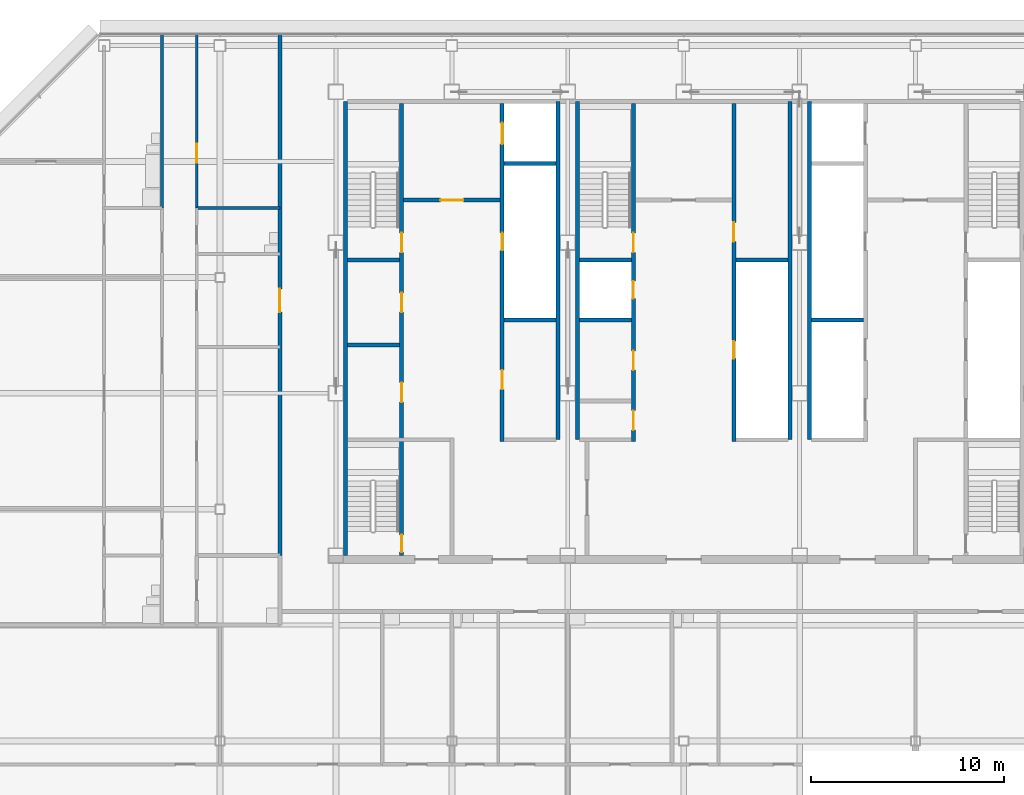
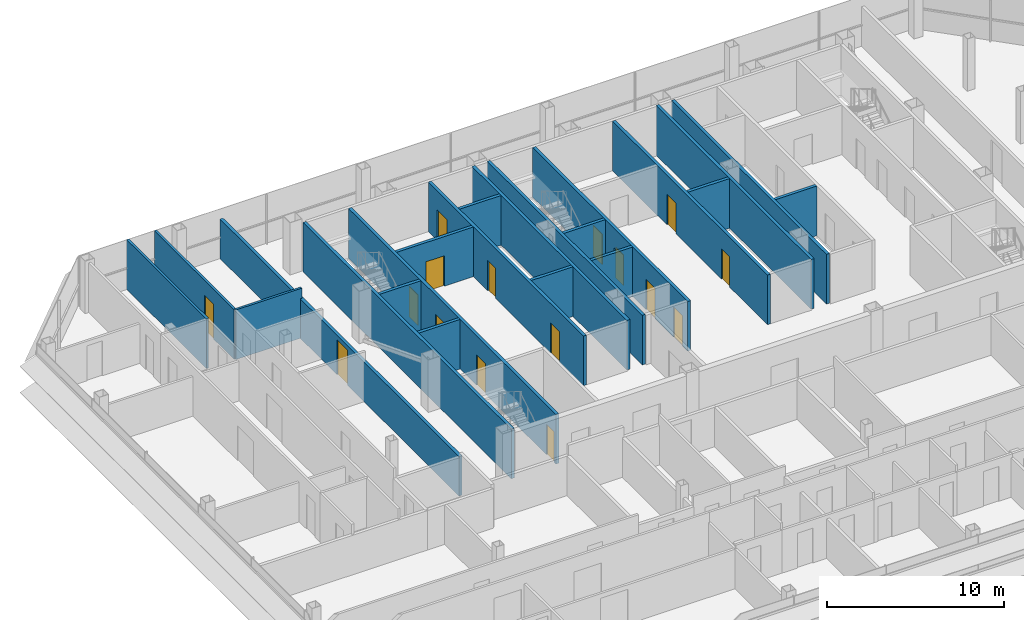
# One storey, part 24 of 28: 22 walls, 16 doors, 16 openings.
"""IFC4 building model written with IfcOpenShell, lengths in metres."""

from ifc_helpers import new_model, si_unit, direction, frame, frame_2d, origin, place, context, subcontext, project, spatial, rectangle, extrude, material, layer, layer_set, type_object, element, fill, save


model = new_model("IFC4")

# Units and contexts
model_context = context("Model", 3, precision=1e-05, world=origin(), true_north=direction((0.0, 1.0)))
body_context = subcontext(model_context, "Body", "Model", "MODEL_VIEW")
ifc_project = project(units=[si_unit("LENGTHUNIT", "METRE"), si_unit("AREAUNIT", "SQUARE_METRE"), si_unit("VOLUMEUNIT", "CUBIC_METRE"), si_unit("PLANEANGLEUNIT", "RADIAN"), si_unit("MASSUNIT", "GRAM", prefix="KILO")], contexts=[model_context])

# Site, building, storey
site_placement = place(None, origin())
site = spatial("IfcSite", under=ifc_project, at=site_placement, CompositionType="ELEMENT")
building_placement = place(site_placement, origin())
building = spatial("IfcBuilding", under=site, at=building_placement, Name="Sorahane Residences", CompositionType="ELEMENT")
storey_placement = place(building_placement, frame((0.0, 0.0, 250.39990234375)))
storey = spatial("IfcBuildingStorey", under=building, at=storey_placement, Name="L59", CompositionType="ELEMENT", Elevation=250.39990234375)

# Walls
ifc_material_1 = material(Name="Concrete C30", Category="concrete")
ifc_layer_1 = layer(ifc_material_1, 0.199951171875)
ifc_layer_set_1 = layer_set([ifc_layer_1], Name="Core face wall 200 EI 180")
wall_type_1 = type_object("IfcWallType", Name="Core face wall 200 EI 180", PredefinedType="SOLIDWALL", material=ifc_layer_set_1)
wall_1_placement = place(storey_placement, frame((6.5, 21.60009765625, 0.0), z_axis=(0.0, 0.0, 1.0), x_axis=(0.0, 1.0, 0.0)))
element("IfcWall", 1, at=wall_1_placement, inside=storey, type_object=wall_type_1, Name="L59 core face wall", PredefinedType="SOLIDWALL", context=body_context, shape_type="SweptSolid", body=[
    extrude(rectangle(XDim=23.5, YDim=0.199951171875, at=frame_2d((11.75, 0.0))), origin(), (0.0, 0.0, 1.0), 3.420166015625),
])
for number, where, z_axis, x_axis, name in (
    (2, (17.5, 27.60009765625, 0.0), (0.0, 0.0, 1.0), (0.0, 1.0, 0.0), "L59 core face wall"),
    (3, (18.5, 27.60009765625, 0.0), (0.0, 0.0, 1.0), (0.0, 1.0, 0.0), "L59 core face wall"),
    (4, (29.5, 27.60009765625, 0.0), (0.0, 0.0, 1.0), (0.0, 1.0, 0.0), "L59 core face wall"),
    (5, (30.5, 27.60009765625, 0.0), (0.0, 0.0, 1.0), (0.0, 1.0, 0.0), "L59 core face wall"),
):
    element("IfcWall", number, at=place(storey_placement, frame(where, z_axis=z_axis, x_axis=x_axis)), inside=storey, type_object=wall_type_1, Name=name, PredefinedType="SOLIDWALL", context=body_context, shape_type="SweptSolid", body=[
        extrude(rectangle(XDim=17.5, YDim=0.199951171875, at=frame_2d((8.75, 0.0))), origin(), (0.0, 0.0, 1.0), 3.420166015625),
    ])

# Wall, opening, door
ifc_material_2 = material(Name="Concrete blockwork C20 wall", Category="masonry")
ifc_layer_2 = layer(ifc_material_2, 0.199951171875)
ifc_layer_set_2 = layer_set([ifc_layer_2], Name="Corridor wall 200 EI 120")
wall_type_2 = type_object("IfcWallType", Name="Corridor wall 200 EI 120", PredefinedType="SOLIDWALL", material=ifc_layer_set_2)
wall_2_placement = place(storey_placement, frame((3.10009765625, 21.60009765625, 0.0), z_axis=(0.0, 0.0, 1.0), x_axis=(0.0, 1.0, 0.0)))
wall_2 = element("IfcWall", 6, at=wall_2_placement, inside=storey, type_object=wall_type_2, Name="L59 corridor wall", PredefinedType="SOLIDWALL", context=body_context, shape_type="SweptSolid", body=[
    extrude(rectangle(XDim=27.0, YDim=0.199951171875, at=frame_2d((13.5, 0.0))), origin(), (0.0, 0.0, 1.0), 2.72021484375),
])
opening_1_placement = place(wall_2_placement, frame((12.60009765625, 0.0, 0.0)))
opening_1 = element("IfcOpeningElement", 7, at=opening_1_placement, cuts=wall_2, Name="Opening L59-48", PredefinedType="OPENING", context=body_context, shape_type="SweptSolid", body=[
    extrude(rectangle(XDim=1.199951171875, YDim=2.39990234375, at=frame_2d((0.60009765625, 1.199951171875))), frame((0.0, 0.10986328125, 0.0), z_axis=(0.0, -1.0, 0.0), x_axis=(1.0, 0.0, 0.0)), (0.0, 0.0, 1.0), 0.219970703125),
])
ifc_material_3 = material(Name="Timber veneered fire door", Category="wood")
door_type_1 = type_object("IfcDoorType", Name="Flat entrance door 1200x2400 FD60", OperationType="NOTDEFINED", PredefinedType="DOOR", material=ifc_material_3)
door_1_placement = place(opening_1_placement, origin())
door_1 = element("IfcDoor", 8, at=door_1_placement, inside=storey, type_object=door_type_1, Name="Flat entrance door L59-48", OperationType="SINGLE_SWING_RIGHT", OverallHeight=2.39990234375, OverallWidth=1.199951171875, PredefinedType="DOOR", context=body_context, shape_type="SweptSolid", body=[
    extrude(rectangle(XDim=1.199951171875, YDim=2.39990234375, at=frame_2d((0.60009765625, 1.199951171875))), frame((0.0, 0.02490234375, 0.0), z_axis=(0.0, -1.0, 0.0), x_axis=(1.0, 0.0, 0.0)), (0.0, 0.0, 1.0), 0.050048828125),
])
fill(opening_1, door_1)

ifc_material_4 = material(Name="Concrete C30", Category="concrete")
ifc_layer_3 = layer(ifc_material_4, 0.199951171875)
ifc_layer_set_3 = layer_set([ifc_layer_3], Name="Front room wall 200 EI 120")
wall_type_3 = type_object("IfcWallType", Name="Front room wall 200 EI 120", PredefinedType="PARTITIONING", material=ifc_layer_set_3)
wall_3_placement = place(storey_placement, frame((9.5, 40.0, 0.0), z_axis=(0.0, 0.0, 1.0), x_axis=(1.0, 0.0, 0.0)))
wall_3 = element("IfcWall", 9, at=wall_3_placement, inside=storey, type_object=wall_type_3, Name="L59 front room wall", PredefinedType="PARTITIONING", context=body_context, shape_type="SweptSolid", body=[
    extrude(rectangle(XDim=5.0, YDim=0.199951171875, at=frame_2d((2.5, 0.0))), origin(), (0.0, 0.0, 1.0), 3.420166015625),
])
opening_2_placement = place(wall_3_placement, frame((1.89990234375, 0.0, 0.0)))
opening_2 = element("IfcOpeningElement", 10, at=opening_2_placement, cuts=wall_3, Name="Opening L59-C07", PredefinedType="OPENING", context=body_context, shape_type="SweptSolid", body=[
    extrude(rectangle(XDim=1.199951171875, YDim=2.10009765625, at=frame_2d((0.60009765625, 1.050048828125))), frame((0.0, 0.10986328125, 0.0), z_axis=(0.0, -1.0, 0.0), x_axis=(1.0, 0.0, 0.0)), (0.0, 0.0, 1.0), 0.219970703125),
])
ifc_material_5 = material(Name="Steel", Category="steel")
door_type_2 = type_object("IfcDoorType", Name="Front room door 1200x2100 FD120", OperationType="NOTDEFINED", PredefinedType="DOOR", material=ifc_material_5)
door_2_placement = place(opening_2_placement, frame((1.199951171875, 0.0, 0.0), z_axis=(0.0, 0.0, 1.0), x_axis=(-1.0, 0.0, 0.0)))
door_2 = element("IfcDoor", 11, at=door_2_placement, inside=storey, type_object=door_type_2, Name="Front room door Firefighting lobby FF1 front room L59", OperationType="DOUBLE_DOOR_SINGLE_SWING", OverallHeight=2.10009765625, OverallWidth=1.199951171875, PredefinedType="DOOR", context=body_context, shape_type="SweptSolid", body=[
    extrude(rectangle(XDim=1.199951171875, YDim=2.10009765625, at=frame_2d((0.60009765625, 1.050048828125))), frame((0.0, 0.02490234375, 0.0), z_axis=(0.0, -1.0, 0.0), x_axis=(1.0, 0.0, 0.0)), (0.0, 0.0, 1.0), 0.050048828125),
])
fill(opening_2, door_2)

# Wall, openings, doors
ifc_material_6 = material(Name="Concrete C30", Category="concrete")
ifc_layer_4 = layer(ifc_material_6, 0.199951171875)
ifc_layer_set_4 = layer_set([ifc_layer_4], Name="Lift shaft wall 200 EI 120")
wall_type_4 = type_object("IfcWallType", Name="Lift shaft wall 200 EI 120", PredefinedType="SOLIDWALL", material=ifc_layer_set_4)
wall_4_placement = place(storey_placement, frame((14.60009765625, 27.5, 0.0), z_axis=(0.0, 0.0, 1.0), x_axis=(0.0, 1.0, 0.0)))
wall_4 = element("IfcWall", 12, at=wall_4_placement, inside=storey, type_object=wall_type_4, Name="L59 lift shaft wall", PredefinedType="SOLIDWALL", context=body_context, shape_type="SweptSolid", body=[
    extrude(rectangle(XDim=17.5, YDim=0.199951171875, at=frame_2d((8.75, 0.0))), origin(), (0.0, 0.0, 1.0), 3.420166015625),
])
opening_3_placement = place(wall_4_placement, frame((15.39990234375, 0.0, 0.0)))
opening_3 = element("IfcOpeningElement", 13, at=opening_3_placement, cuts=wall_4, Name="Opening L59-C16", PredefinedType="OPENING", context=body_context, shape_type="SweptSolid", body=[
    extrude(rectangle(XDim=1.10009765625, YDim=2.10009765625, at=frame_2d((0.550048828125, 1.050048828125))), frame((0.0, 0.10986328125, 0.0), z_axis=(0.0, -1.0, 0.0), x_axis=(1.0, 0.0, 0.0)), (0.0, 0.0, 1.0), 0.219970703125),
])
opening_4_placement = place(wall_4_placement, frame((2.699951171875, 0.0, 0.0)))
opening_4 = element("IfcOpeningElement", 14, at=opening_4_placement, cuts=wall_4, Name="Opening L59-C19", PredefinedType="OPENING", context=body_context, shape_type="SweptSolid", body=[
    extrude(rectangle(XDim=1.0, YDim=2.10009765625, at=frame_2d((0.5, 1.050048828125))), frame((0.0, 0.10986328125, 0.0), z_axis=(0.0, -1.0, 0.0), x_axis=(1.0, 0.0, 0.0)), (0.0, 0.0, 1.0), 0.219970703125),
])
opening_5_placement = place(wall_4_placement, frame((9.89990234375, 0.0, 0.0)))
opening_5 = element("IfcOpeningElement", 15, at=opening_5_placement, cuts=wall_4, Name="Opening L59-C27", PredefinedType="OPENING", context=body_context, shape_type="SweptSolid", body=[
    extrude(rectangle(XDim=0.89990234375, YDim=2.10009765625, at=frame_2d((0.449951171875, 1.050048828125))), frame((0.0, 0.10986328125, 0.0), z_axis=(0.0, -1.0, 0.0), x_axis=(1.0, 0.0, 0.0)), (0.0, 0.0, 1.0), 0.219970703125),
])
ifc_material_7 = material(Name="Aluminium and stainless steel", Category="steel")
door_type_3 = type_object("IfcDoorType", Name="Lift landing door 1100x2100 E 60", OperationType="NOTDEFINED", PredefinedType="DOOR", material=ifc_material_7)
door_3_placement = place(opening_3_placement, origin())
door_3 = element("IfcDoor", 16, at=door_3_placement, inside=storey, type_object=door_type_3, Name="Lift landing door FF1 L59", OperationType="DOUBLE_DOOR_SLIDING", OverallHeight=2.10009765625, OverallWidth=1.10009765625, PredefinedType="DOOR", context=body_context, shape_type="SweptSolid", body=[
    extrude(rectangle(XDim=1.10009765625, YDim=2.10009765625, at=frame_2d((0.550048828125, 1.050048828125))), frame((0.0, 0.02490234375, 0.0), z_axis=(0.0, -1.0, 0.0), x_axis=(1.0, 0.0, 0.0)), (0.0, 0.0, 1.0), 0.050048828125),
])
fill(opening_3, door_3)
ifc_material_8 = material(Name="Steel", Category="steel")
door_type_4 = type_object("IfcDoorType", Name="Riser door 900x2100 FD120", OperationType="NOTDEFINED", PredefinedType="DOOR", material=ifc_material_8)
door_4_placement = place(opening_5_placement, origin())
door_4 = element("IfcDoor", 17, at=door_4_placement, inside=storey, type_object=door_type_4, Name="Riser door R1 L59", OperationType="SINGLE_SWING_LEFT", OverallHeight=2.10009765625, OverallWidth=0.89990234375, PredefinedType="DOOR", context=body_context, shape_type="SweptSolid", body=[
    extrude(rectangle(XDim=0.89990234375, YDim=2.10009765625, at=frame_2d((0.449951171875, 1.050048828125))), frame((0.0, 0.02490234375, 0.0), z_axis=(0.0, -1.0, 0.0), x_axis=(1.0, 0.0, 0.0)), (0.0, 0.0, 1.0), 0.050048828125),
])
fill(opening_5, door_4)
ifc_material_9 = material(Name="Steel", Category="steel")
door_type_5 = type_object("IfcDoorType", Name="Service room door 1000x2100 FD60", OperationType="NOTDEFINED", PredefinedType="DOOR", material=ifc_material_9)
door_5_placement = place(opening_4_placement, frame((1.0, 0.0, 0.0), z_axis=(0.0, 0.0, 1.0), x_axis=(-1.0, 0.0, 0.0)))
door_5 = element("IfcDoor", 18, at=door_5_placement, inside=storey, type_object=door_type_5, Name="Service room door Study L59", OperationType="SINGLE_SWING_RIGHT", OverallHeight=2.10009765625, OverallWidth=1.0, PredefinedType="DOOR", context=body_context, shape_type="SweptSolid", body=[
    extrude(rectangle(XDim=1.0, YDim=2.10009765625, at=frame_2d((0.5, 1.050048828125))), frame((0.0, 0.02490234375, 0.0), z_axis=(0.0, -1.0, 0.0), x_axis=(1.0, 0.0, 0.0)), (0.0, 0.0, 1.0), 0.050048828125),
])
fill(opening_4, door_5)

# Walls
for number, where, z_axis, x_axis, name in (
    (19, (30.60009765625, 33.800048828125, 0.0), (0.0, 0.0, 1.0), (1.0, 0.0, 0.0), "L59 lift shaft wall"),
    (20, (14.699951171875, 41.89990234375, 0.0), (0.0, 0.0, 1.0), (1.0, 0.0, 0.0), "L59 lift shaft wall"),
):
    element("IfcWall", number, at=place(storey_placement, frame(where, z_axis=z_axis, x_axis=x_axis)), inside=storey, type_object=wall_type_4, Name=name, PredefinedType="SOLIDWALL", context=body_context, shape_type="SweptSolid", body=[
        extrude(rectangle(XDim=2.699951171875, YDim=0.199951171875, at=frame_2d((1.35009765625, 0.0))), origin(), (0.0, 0.0, 1.0), 3.420166015625),
    ])

# Wall, opening, door
ifc_material_10 = material(Name="Gypsum board partition on steel studs", Category="steel")
ifc_layer_5 = layer(ifc_material_10, 0.14990234375)
ifc_layer_set_5 = layer_set([ifc_layer_5], Name="Partition 150 EI 90")
wall_type_5 = type_object("IfcWallType", Name="Partition 150 EI 90", PredefinedType="PARTITIONING", material=ifc_layer_set_5)
wall_5_placement = place(storey_placement, frame((-1.199951171875, 39.60009765625, 0.0), z_axis=(0.0, 0.0, 1.0), x_axis=(0.0, 1.0, 0.0)))
wall_5 = element("IfcWall", 21, at=wall_5_placement, inside=storey, type_object=wall_type_5, Name="L59 partition", PredefinedType="PARTITIONING", context=body_context, shape_type="SweptSolid", body=[
    extrude(rectangle(XDim=9.0, YDim=0.14990234375, at=frame_2d((4.5, 0.0))), origin(), (0.0, 0.0, 1.0), 3.420166015625),
])
opening_6_placement = place(wall_5_placement, frame((2.320068359375, 0.0, 0.0)))
opening_6 = element("IfcOpeningElement", 22, at=opening_6_placement, cuts=wall_5, Name="Opening L59-36", PredefinedType="OPENING", context=body_context, shape_type="SweptSolid", body=[
    extrude(rectangle(XDim=1.0, YDim=2.39990234375, at=frame_2d((0.5, 1.199951171875))), frame((0.0, 0.0849609375, 0.0), z_axis=(0.0, -1.0, 0.0), x_axis=(1.0, 0.0, 0.0)), (0.0, 0.0, 1.0), 0.169921875),
])
ifc_material_11 = material(Name="Timber veneered fire door", Category="wood")
door_type_6 = type_object("IfcDoorType", Name="Room door 1000x2400 FD30", OperationType="NOTDEFINED", PredefinedType="DOOR", material=ifc_material_11)
door_6_placement = place(opening_6_placement, frame((1.0, 0.0, 0.0), z_axis=(0.0, 0.0, 1.0), x_axis=(-1.0, 0.0, 0.0)))
door_6 = element("IfcDoor", 23, at=door_6_placement, inside=storey, type_object=door_type_6, Name="Room door L59-36", OperationType="SINGLE_SWING_RIGHT", OverallHeight=2.39990234375, OverallWidth=1.0, PredefinedType="DOOR", context=body_context, shape_type="SweptSolid", body=[
    extrude(rectangle(XDim=1.0, YDim=2.39990234375, at=frame_2d((0.5, 1.199951171875))), frame((0.0, 0.02490234375, 0.0), z_axis=(0.0, -1.0, 0.0), x_axis=(1.0, 0.0, 0.0)), (0.0, 0.0, 1.0), 0.050048828125),
])
fill(opening_6, door_6)

# Wall, openings, doors
ifc_material_12 = material(Name="Concrete C30", Category="concrete")
ifc_layer_6 = layer(ifc_material_12, 0.199951171875)
ifc_layer_set_6 = layer_set([ifc_layer_6], Name="Riser shaft wall 200 EI 120")
wall_type_6 = type_object("IfcWallType", Name="Riser shaft wall 200 EI 120", PredefinedType="SOLIDWALL", material=ifc_layer_set_6)
wall_6_placement = place(storey_placement, frame((26.60009765625, 27.5, 0.0), z_axis=(0.0, 0.0, 1.0), x_axis=(0.0, 1.0, 0.0)))
wall_6 = element("IfcWall", 24, at=wall_6_placement, inside=storey, type_object=wall_type_6, Name="L59 riser wall", PredefinedType="SOLIDWALL", context=body_context, shape_type="SweptSolid", body=[
    extrude(rectangle(XDim=17.5, YDim=0.199951171875, at=frame_2d((8.75, 0.0))), origin(), (0.0, 0.0, 1.0), 3.420166015625),
])
opening_7_placement = place(wall_6_placement, frame((4.300048828125, 0.0, 0.0)))
opening_7 = element("IfcOpeningElement", 25, at=opening_7_placement, cuts=wall_6, Name="Opening L59-C30", PredefinedType="OPENING", context=body_context, shape_type="SweptSolid", body=[
    extrude(rectangle(XDim=0.89990234375, YDim=2.10009765625, at=frame_2d((0.449951171875, 1.050048828125))), frame((0.0, 0.10986328125, 0.0), z_axis=(0.0, -1.0, 0.0), x_axis=(1.0, 0.0, 0.0)), (0.0, 0.0, 1.0), 0.219970703125),
])
opening_8_placement = place(wall_6_placement, frame((10.35009765625, 0.0, 0.0)))
opening_8 = element("IfcOpeningElement", 26, at=opening_8_placement, cuts=wall_6, Name="Opening L59-C31", PredefinedType="OPENING", context=body_context, shape_type="SweptSolid", body=[
    extrude(rectangle(XDim=1.0, YDim=2.10009765625, at=frame_2d((0.5, 1.050048828125))), frame((0.0, 0.10986328125, 0.0), z_axis=(0.0, -1.0, 0.0), x_axis=(1.0, 0.0, 0.0)), (0.0, 0.0, 1.0), 0.219970703125),
])
door_7_placement = place(opening_7_placement, origin())
door_7 = element("IfcDoor", 27, at=door_7_placement, inside=storey, type_object=door_type_4, Name="Riser door R4 L59", OperationType="SINGLE_SWING_LEFT", OverallHeight=2.10009765625, OverallWidth=0.89990234375, PredefinedType="DOOR", context=body_context, shape_type="SweptSolid", body=[
    extrude(rectangle(XDim=0.89990234375, YDim=2.10009765625, at=frame_2d((0.449951171875, 1.050048828125))), frame((0.0, 0.02490234375, 0.0), z_axis=(0.0, -1.0, 0.0), x_axis=(1.0, 0.0, 0.0)), (0.0, 0.0, 1.0), 0.050048828125),
])
fill(opening_7, door_7)
door_8_placement = place(opening_8_placement, frame((1.0, 0.0, 0.0), z_axis=(0.0, 0.0, 1.0), x_axis=(-1.0, 0.0, 0.0)))
door_8 = element("IfcDoor", 28, at=door_8_placement, inside=storey, type_object=door_type_5, Name="Service room door Housekeeping store L59", OperationType="SINGLE_SWING_LEFT", OverallHeight=2.10009765625, OverallWidth=1.0, PredefinedType="DOOR", context=body_context, shape_type="SweptSolid", body=[
    extrude(rectangle(XDim=1.0, YDim=2.10009765625, at=frame_2d((0.5, 1.050048828125))), frame((0.0, 0.02490234375, 0.0), z_axis=(0.0, -1.0, 0.0), x_axis=(1.0, 0.0, 0.0)), (0.0, 0.0, 1.0), 0.050048828125),
])
fill(opening_8, door_8)

# Walls
for number, where, z_axis, x_axis, name in (
    (29, (14.699951171875, 33.800048828125, 0.0), (0.0, 0.0, 1.0), (1.0, 0.0, 0.0), "L59 riser wall"),
    (30, (18.60009765625, 33.800048828125, 0.0), (0.0, 0.0, 1.0), (1.0, 0.0, 0.0), "L59 riser wall"),
    (31, (26.699951171875, 36.89990234375, 0.0), (0.0, 0.0, 1.0), (1.0, 0.0, 0.0), "L59 riser wall"),
):
    element("IfcWall", number, at=place(storey_placement, frame(where, z_axis=z_axis, x_axis=x_axis)), inside=storey, type_object=wall_type_6, Name=name, PredefinedType="SOLIDWALL", context=body_context, shape_type="SweptSolid", body=[
        extrude(rectangle(XDim=2.699951171875, YDim=0.199951171875, at=frame_2d((1.35009765625, 0.0))), origin(), (0.0, 0.0, 1.0), 3.420166015625),
    ])
ifc_material_13 = material(Name="Concrete C30", Category="concrete")
ifc_layer_7 = layer(ifc_material_13, 0.199951171875)
ifc_layer_set_7 = layer_set([ifc_layer_7], Name="Service room partition 200 EI 60")
wall_type_7 = type_object("IfcWallType", Name="Service room partition 200 EI 60", PredefinedType="PARTITIONING", material=ifc_layer_set_7)
wall_7_placement = place(storey_placement, frame((6.60009765625, 32.5, 0.0), z_axis=(0.0, 0.0, 1.0), x_axis=(1.0, 0.0, 0.0)))
element("IfcWall", 32, at=wall_7_placement, inside=storey, type_object=wall_type_7, Name="L59 service room wall", PredefinedType="PARTITIONING", context=body_context, shape_type="SweptSolid", body=[
    extrude(rectangle(XDim=2.699951171875, YDim=0.199951171875, at=frame_2d((1.35009765625, 0.0))), origin(), (0.0, 0.0, 1.0), 3.420166015625),
])

# Wall, openings, doors
ifc_material_14 = material(Name="Concrete C30", Category="concrete")
ifc_layer_8 = layer(ifc_material_14, 0.199951171875)
ifc_layer_set_8 = layer_set([ifc_layer_8], Name="Stair enclosure wall 200 EI 120")
wall_type_8 = type_object("IfcWallType", Name="Stair enclosure wall 200 EI 120", PredefinedType="SOLIDWALL", material=ifc_layer_set_8)
wall_8_placement = place(storey_placement, frame((21.39990234375, 27.5, 0.0), z_axis=(0.0, 0.0, 1.0), x_axis=(0.0, 1.0, 0.0)))
wall_8 = element("IfcWall", 33, at=wall_8_placement, inside=storey, type_object=wall_type_8, Name="L59 stair enclosure wall", PredefinedType="SOLIDWALL", context=body_context, shape_type="SweptSolid", body=[
    extrude(rectangle(XDim=17.5, YDim=0.199951171875, at=frame_2d((8.75, 0.0))), origin(), (0.0, 0.0, 1.0), 3.420166015625),
])
opening_9_placement = place(wall_8_placement, frame((0.60009765625, 0.0, 0.0)))
opening_9 = element("IfcOpeningElement", 34, at=opening_9_placement, cuts=wall_8, Name="Opening L59-C17", PredefinedType="OPENING", context=body_context, shape_type="SweptSolid", body=[
    extrude(rectangle(XDim=1.0, YDim=2.10009765625, at=frame_2d((0.5, 1.050048828125))), frame((0.0, 0.10986328125, 0.0), z_axis=(0.0, -1.0, 0.0), x_axis=(1.0, 0.0, 0.0)), (0.0, 0.0, 1.0), 0.219970703125),
])
opening_10_placement = place(wall_8_placement, frame((3.699951171875, 0.0, 0.0)))
opening_10 = element("IfcOpeningElement", 35, at=opening_10_placement, cuts=wall_8, Name="Opening L59-C18", PredefinedType="OPENING", context=body_context, shape_type="SweptSolid", body=[
    extrude(rectangle(XDim=1.0, YDim=2.10009765625, at=frame_2d((0.5, 1.050048828125))), frame((0.0, 0.10986328125, 0.0), z_axis=(0.0, -1.0, 0.0), x_axis=(1.0, 0.0, 0.0)), (0.0, 0.0, 1.0), 0.219970703125),
])
opening_11_placement = place(wall_8_placement, frame((9.800048828125, 0.0, 0.0)))
opening_11 = element("IfcOpeningElement", 36, at=opening_11_placement, cuts=wall_8, Name="Opening L59-C24", PredefinedType="OPENING", context=body_context, shape_type="SweptSolid", body=[
    extrude(rectangle(XDim=1.0, YDim=2.10009765625, at=frame_2d((0.5, 1.050048828125))), frame((0.0, 0.10986328125, 0.0), z_axis=(0.0, -1.0, 0.0), x_axis=(1.0, 0.0, 0.0)), (0.0, 0.0, 1.0), 0.219970703125),
])
opening_12_placement = place(wall_8_placement, frame((7.39990234375, 0.0, 0.0)))
opening_12 = element("IfcOpeningElement", 37, at=opening_12_placement, cuts=wall_8, Name="Opening L59-C29", PredefinedType="OPENING", context=body_context, shape_type="SweptSolid", body=[
    extrude(rectangle(XDim=0.89990234375, YDim=2.10009765625, at=frame_2d((0.449951171875, 1.050048828125))), frame((0.0, 0.10986328125, 0.0), z_axis=(0.0, -1.0, 0.0), x_axis=(1.0, 0.0, 0.0)), (0.0, 0.0, 1.0), 0.219970703125),
])
door_9_placement = place(opening_12_placement, frame((0.89990234375, 0.0, 0.0), z_axis=(0.0, 0.0, 1.0), x_axis=(-1.0, 0.0, 0.0)))
door_9 = element("IfcDoor", 38, at=door_9_placement, inside=storey, type_object=door_type_4, Name="Riser door R3 L59", OperationType="SINGLE_SWING_LEFT", OverallHeight=2.10009765625, OverallWidth=0.89990234375, PredefinedType="DOOR", context=body_context, shape_type="SweptSolid", body=[
    extrude(rectangle(XDim=0.89990234375, YDim=2.10009765625, at=frame_2d((0.449951171875, 1.050048828125))), frame((0.0, 0.02490234375, 0.0), z_axis=(0.0, -1.0, 0.0), x_axis=(1.0, 0.0, 0.0)), (0.0, 0.0, 1.0), 0.050048828125),
])
fill(opening_12, door_9)
door_10_placement = place(opening_9_placement, origin())
door_10 = element("IfcDoor", 39, at=door_10_placement, inside=storey, type_object=door_type_5, Name="Service room door Guest suite store L59", OperationType="SINGLE_SWING_LEFT", OverallHeight=2.10009765625, OverallWidth=1.0, PredefinedType="DOOR", context=body_context, shape_type="SweptSolid", body=[
    extrude(rectangle(XDim=1.0, YDim=2.10009765625, at=frame_2d((0.5, 1.050048828125))), frame((0.0, 0.02490234375, 0.0), z_axis=(0.0, -1.0, 0.0), x_axis=(1.0, 0.0, 0.0)), (0.0, 0.0, 1.0), 0.050048828125),
])
fill(opening_9, door_10)
door_11_placement = place(opening_10_placement, origin())
door_11 = element("IfcDoor", 40, at=door_11_placement, inside=storey, type_object=door_type_5, Name="Service room door Lounge L59", OperationType="SINGLE_SWING_RIGHT", OverallHeight=2.10009765625, OverallWidth=1.0, PredefinedType="DOOR", context=body_context, shape_type="SweptSolid", body=[
    extrude(rectangle(XDim=1.0, YDim=2.10009765625, at=frame_2d((0.5, 1.050048828125))), frame((0.0, 0.02490234375, 0.0), z_axis=(0.0, -1.0, 0.0), x_axis=(1.0, 0.0, 0.0)), (0.0, 0.0, 1.0), 0.050048828125),
])
fill(opening_10, door_11)
ifc_material_15 = material(Name="Steel", Category="steel")
door_type_7 = type_object("IfcDoorType", Name="Stair door 1000x2100 FD120", OperationType="NOTDEFINED", PredefinedType="DOOR", material=ifc_material_15)
door_12_placement = place(opening_11_placement, origin())
door_12 = element("IfcDoor", 41, at=door_12_placement, inside=storey, type_object=door_type_7, Name="Stair door S3 L59", OperationType="SINGLE_SWING_LEFT", OverallHeight=2.10009765625, OverallWidth=1.0, PredefinedType="DOOR", context=body_context, shape_type="SweptSolid", body=[
    extrude(rectangle(XDim=1.0, YDim=2.10009765625, at=frame_2d((0.5, 1.050048828125))), frame((0.0, 0.02490234375, 0.0), z_axis=(0.0, -1.0, 0.0), x_axis=(1.0, 0.0, 0.0)), (0.0, 0.0, 1.0), 0.050048828125),
])
fill(opening_11, door_12)

wall_9_placement = place(storey_placement, frame((9.39990234375, 21.60009765625, 0.0), z_axis=(0.0, 0.0, 1.0), x_axis=(0.0, 1.0, 0.0)))
wall_9 = element("IfcWall", 42, at=wall_9_placement, inside=storey, type_object=wall_type_8, Name="L59 stair enclosure wall", PredefinedType="SOLIDWALL", context=body_context, shape_type="SweptSolid", body=[
    extrude(rectangle(XDim=23.39990234375, YDim=0.199951171875, at=frame_2d((11.699951171875, 0.0))), origin(), (0.0, 0.0, 1.0), 3.420166015625),
])
opening_13_placement = place(wall_9_placement, frame((7.949951171875, 0.0, 0.0)))
opening_13 = element("IfcOpeningElement", 43, at=opening_13_placement, cuts=wall_9, Name="Opening L59-C20", PredefinedType="OPENING", context=body_context, shape_type="SweptSolid", body=[
    extrude(rectangle(XDim=1.0, YDim=2.10009765625, at=frame_2d((0.5, 1.050048828125))), frame((0.0, 0.10986328125, 0.0), z_axis=(0.0, -1.0, 0.0), x_axis=(1.0, 0.0, 0.0)), (0.0, 0.0, 1.0), 0.219970703125),
])
opening_14_placement = place(wall_9_placement, frame((12.60009765625, 0.0, 0.0)))
opening_14 = element("IfcOpeningElement", 44, at=opening_14_placement, cuts=wall_9, Name="Opening L59-C21", PredefinedType="OPENING", context=body_context, shape_type="SweptSolid", body=[
    extrude(rectangle(XDim=1.0, YDim=2.10009765625, at=frame_2d((0.5, 1.050048828125))), frame((0.0, 0.10986328125, 0.0), z_axis=(0.0, -1.0, 0.0), x_axis=(1.0, 0.0, 0.0)), (0.0, 0.0, 1.0), 0.219970703125),
])
opening_15_placement = place(wall_9_placement, frame((15.699951171875, 0.0, 0.0)))
opening_15 = element("IfcOpeningElement", 45, at=opening_15_placement, cuts=wall_9, Name="Opening L59-C22", PredefinedType="OPENING", context=body_context, shape_type="SweptSolid", body=[
    extrude(rectangle(XDim=1.0, YDim=2.10009765625, at=frame_2d((0.5, 1.050048828125))), frame((0.0, 0.10986328125, 0.0), z_axis=(0.0, -1.0, 0.0), x_axis=(1.0, 0.0, 0.0)), (0.0, 0.0, 1.0), 0.219970703125),
])
opening_16_placement = place(wall_9_placement, frame((0.175048828125, 0.0, 0.0)))
opening_16 = element("IfcOpeningElement", 46, at=opening_16_placement, cuts=wall_9, Name="Opening L59-C25", PredefinedType="OPENING", context=body_context, shape_type="SweptSolid", body=[
    extrude(rectangle(XDim=0.89990234375, YDim=2.10009765625, at=frame_2d((0.449951171875, 1.050048828125))), frame((0.0, 0.10986328125, 0.0), z_axis=(0.0, -1.0, 0.0), x_axis=(1.0, 0.0, 0.0)), (0.0, 0.0, 1.0), 0.219970703125),
])
door_13_placement = place(opening_13_placement, origin())
door_13 = element("IfcDoor", 47, at=door_13_placement, inside=storey, type_object=door_type_5, Name="Service room door Reading room L59", OperationType="SINGLE_SWING_LEFT", OverallHeight=2.10009765625, OverallWidth=1.0, PredefinedType="DOOR", context=body_context, shape_type="SweptSolid", body=[
    extrude(rectangle(XDim=1.0, YDim=2.10009765625, at=frame_2d((0.5, 1.050048828125))), frame((0.0, 0.02490234375, 0.0), z_axis=(0.0, -1.0, 0.0), x_axis=(1.0, 0.0, 0.0)), (0.0, 0.0, 1.0), 0.050048828125),
])
fill(opening_13, door_13)
door_14_placement = place(opening_14_placement, origin())
door_14 = element("IfcDoor", 48, at=door_14_placement, inside=storey, type_object=door_type_5, Name="Service room door Guest suite store L59", OperationType="SINGLE_SWING_RIGHT", OverallHeight=2.10009765625, OverallWidth=1.0, PredefinedType="DOOR", context=body_context, shape_type="SweptSolid", body=[
    extrude(rectangle(XDim=1.0, YDim=2.10009765625, at=frame_2d((0.5, 1.050048828125))), frame((0.0, 0.02490234375, 0.0), z_axis=(0.0, -1.0, 0.0), x_axis=(1.0, 0.0, 0.0)), (0.0, 0.0, 1.0), 0.050048828125),
])
fill(opening_14, door_14)
door_15_placement = place(opening_15_placement, origin())
door_15 = element("IfcDoor", 49, at=door_15_placement, inside=storey, type_object=door_type_7, Name="Stair door S1 L59", OperationType="SINGLE_SWING_LEFT", OverallHeight=2.10009765625, OverallWidth=1.0, PredefinedType="DOOR", context=body_context, shape_type="SweptSolid", body=[
    extrude(rectangle(XDim=1.0, YDim=2.10009765625, at=frame_2d((0.5, 1.050048828125))), frame((0.0, 0.02490234375, 0.0), z_axis=(0.0, -1.0, 0.0), x_axis=(1.0, 0.0, 0.0)), (0.0, 0.0, 1.0), 0.050048828125),
])
fill(opening_15, door_15)
ifc_material_16 = material(Name="Steel", Category="steel")
door_type_8 = type_object("IfcDoorType", Name="Stair door 900x2100 FD120", OperationType="NOTDEFINED", PredefinedType="DOOR", material=ifc_material_16)
door_16_placement = place(opening_16_placement, origin())
door_16 = element("IfcDoor", 50, at=door_16_placement, inside=storey, type_object=door_type_8, Name="Stair door S4 L59", OperationType="SINGLE_SWING_LEFT", OverallHeight=2.10009765625, OverallWidth=0.89990234375, PredefinedType="DOOR", context=body_context, shape_type="SweptSolid", body=[
    extrude(rectangle(XDim=0.89990234375, YDim=2.10009765625, at=frame_2d((0.449951171875, 1.050048828125))), frame((0.0, 0.02490234375, 0.0), z_axis=(0.0, -1.0, 0.0), x_axis=(1.0, 0.0, 0.0)), (0.0, 0.0, 1.0), 0.050048828125),
])
fill(opening_16, door_16)

# Walls
for number, where, z_axis, x_axis, name in (
    (51, (18.60009765625, 36.89990234375, 0.0), (0.0, 0.0, 1.0), (1.0, 0.0, 0.0), "L59 stair enclosure wall"),
    (52, (6.60009765625, 36.89990234375, 0.0), (0.0, 0.0, 1.0), (1.0, 0.0, 0.0), "L59 stair enclosure wall"),
):
    element("IfcWall", number, at=place(storey_placement, frame(where, z_axis=z_axis, x_axis=x_axis)), inside=storey, type_object=wall_type_8, Name=name, PredefinedType="SOLIDWALL", context=body_context, shape_type="SweptSolid", body=[
        extrude(rectangle(XDim=2.699951171875, YDim=0.199951171875, at=frame_2d((1.35009765625, 0.0))), origin(), (0.0, 0.0, 1.0), 3.420166015625),
    ])
ifc_material_17 = material(Name="Gypsum board partition on steel studs", Category="steel")
ifc_layer_9 = layer(ifc_material_17, 0.14990234375)
ifc_layer_set_9 = layer_set([ifc_layer_9], Name="Wet wall 150 EI 90")
wall_type_9 = type_object("IfcWallType", Name="Wet wall 150 EI 90", PredefinedType="PARTITIONING", material=ifc_layer_set_9)
wall_10_placement = place(storey_placement, frame((-3.0, 39.60009765625, 0.0), z_axis=(0.0, 0.0, 1.0), x_axis=(0.0, 1.0, 0.0)))
element("IfcWall", 53, at=wall_10_placement, inside=storey, type_object=wall_type_9, Name="L59 wet wall", PredefinedType="PARTITIONING", context=body_context, shape_type="SweptSolid", body=[
    extrude(rectangle(XDim=9.0, YDim=0.14990234375, at=frame_2d((4.5, 0.0))), origin(), (0.0, 0.0, 1.0), 3.420166015625),
])
wall_11_placement = place(storey_placement, frame((-1.199951171875, 39.60009765625, 0.0), z_axis=(0.0, 0.0, 1.0), x_axis=(1.0, 0.0, 0.0)))
element("IfcWall", 54, at=wall_11_placement, inside=storey, type_object=wall_type_9, Name="L59 wet wall", PredefinedType="PARTITIONING", context=body_context, shape_type="SweptSolid", body=[
    extrude(rectangle(XDim=4.300048828125, YDim=0.14990234375, at=frame_2d((2.14990234375, 0.0))), origin(), (0.0, 0.0, 1.0), 3.420166015625),
])

save(model, "model.ifc")
